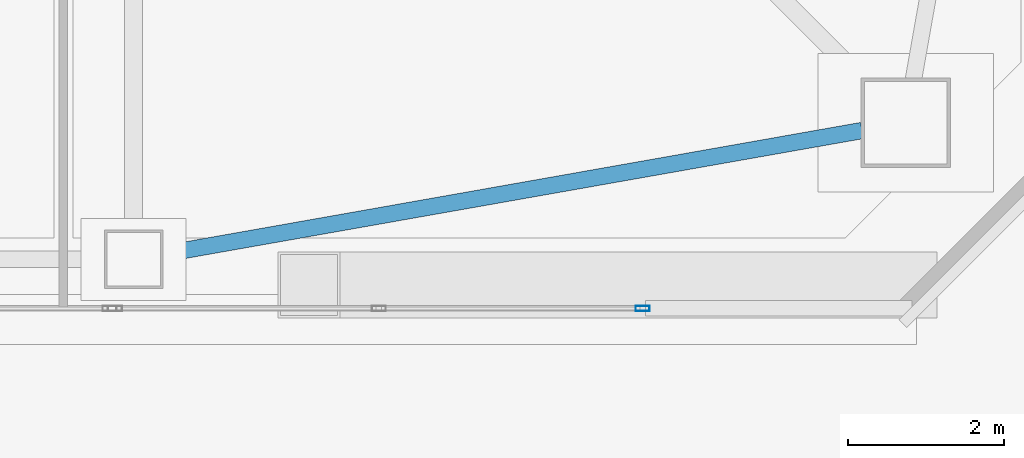
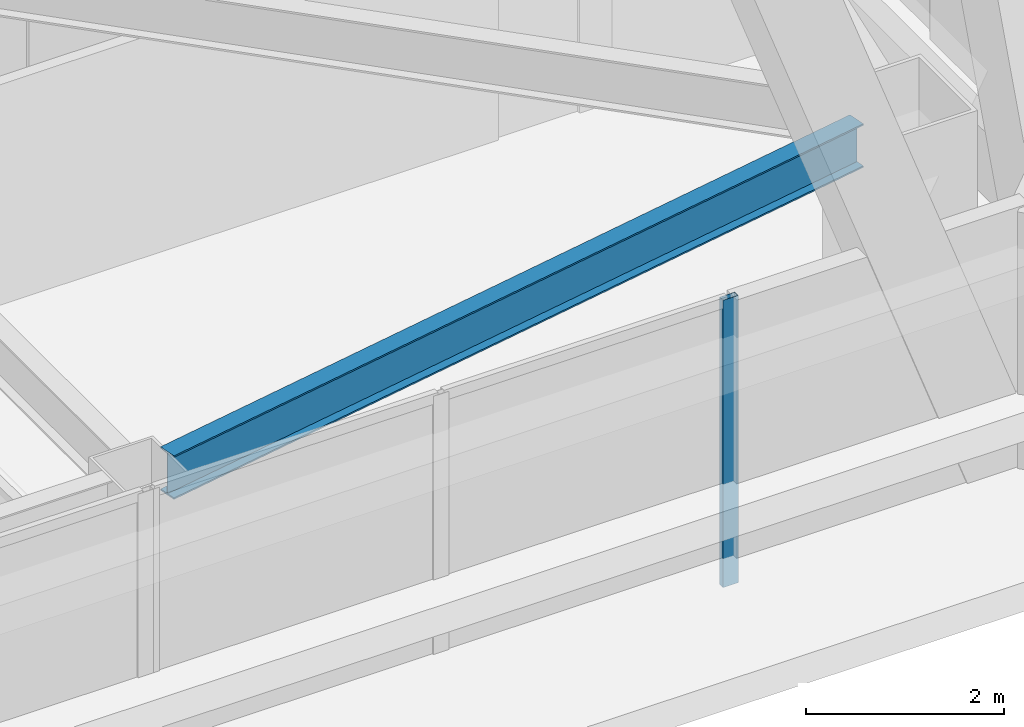
# One storey, part 11 of 65: 1 beam, 1 member, 1 element without a shape of its own.
"""IFC4 building model written with IfcOpenShell, lengths in metres."""

from ifc_helpers import new_model, si_unit, direction, frame, origin, origin_2d, place, context, subcontext, project, spatial, hollow_rectangle, i_section, extrude, material, material_profile, profile_set, type_object, element, aggregate, save


model = new_model("IFC4")

# Units and contexts
model_context = context("Model", 3, precision=1e-05, world=origin(), true_north=direction((0.0, 1.0)))
body_context = subcontext(model_context, "Body", "Model", "MODEL_VIEW")
ifc_project = project(units=[si_unit("LENGTHUNIT", "METRE"), si_unit("AREAUNIT", "SQUARE_METRE"), si_unit("VOLUMEUNIT", "CUBIC_METRE"), si_unit("PLANEANGLEUNIT", "RADIAN"), si_unit("MASSUNIT", "GRAM", prefix="KILO")], contexts=[model_context])

# Site, building, storey
site_placement = place(None, origin())
site = spatial("IfcSite", under=ifc_project, at=site_placement, CompositionType="ELEMENT")
building_placement = place(site_placement, origin())
building = spatial("IfcBuilding", under=site, at=building_placement, Name="Tashvorn Skyway Center", CompositionType="ELEMENT")
storey_placement = place(building_placement, frame((0.0, 0.0, 157.0)))
storey = spatial("IfcBuildingStorey", under=building, at=storey_placement, Name="L42", CompositionType="ELEMENT", Elevation=157.0)

# Beam
ifc_material_1 = material(Name="Steel ASTM A992 Grade 50", Category="steel")
ifc_material_profile_1 = material_profile(ifc_material_1, i_section(OverallWidth=0.2109375, OverallDepth=0.5390625, WebThickness=0.01171875, FlangeThickness=0.018798828125, at=origin_2d()), Name="W21X73")
ifc_profile_set_1 = profile_set([ifc_material_profile_1], Name="Steel ASTM A992 Grade 50")
beam_type = type_object("IfcBeamType", Name="BM-SPANDREL-W21X73", PredefinedType="SPANDREL", material=ifc_profile_set_1)
beam_placement = place(storey_placement, frame((47.764404296875, 15.014404296875, 3.1005859375), z_axis=(0.984732545667, 0.174074160933, 0.0), x_axis=(-0.174074160933, 0.984732545667, 0.0)))
element("IfcBeam", 1, at=beam_placement, inside=storey, type_object=beam_type, Name="Tower 1 L42 Spandrel Beam 03", PredefinedType="SPANDREL", context=body_context, shape_type="SweptSolid", body=[
    extrude(i_section(OverallWidth=0.2109375, OverallDepth=0.5390625, WebThickness=0.01171875, FlangeThickness=0.018798828125, at=origin_2d()), origin(), (0.0, 0.0, 1.0), 9.113525390625),
])

# Curtain wall, member
ifc_material_2 = material(Name="Thermally broken bronze-anodized aluminium 6063-T6", Category="aluminium")
curtain_wall_type = type_object("IfcCurtainWallType", Name="CW-CW-Z4", PredefinedType="NOTDEFINED", material=ifc_material_2)
curtain_wall_placement = place(storey_placement, origin())
curtain_wall = element("IfcCurtainWall", 2, at=curtain_wall_placement, inside=storey, type_object=curtain_wall_type, Name="Tower 1 L42 South Unitised Curtain Wall Glazing Group 1", PredefinedType="NOTDEFINED")
ifc_material_profile_2 = material_profile(ifc_material_2, hollow_rectangle(XDim=0.070068359375, YDim=0.179931640625, WallThickness=0.00390625, at=origin_2d()), Name="ALU-MULL-70x180")
ifc_profile_set_2 = profile_set([ifc_material_profile_2], Name="Thermally broken bronze-anodized aluminium 6063-T6")
member_type = type_object("IfcMemberType", Name="CWM-CW-Z4", PredefinedType="MULLION", material=ifc_profile_set_2)
member_placement = place(storey_placement, frame((53.92724609375, 14.320068359375, 0.0), z_axis=(0.0, 0.0, 1.0), x_axis=(0.0, -1.0, 0.0)))
member = element("IfcMember", 3, at=member_placement, type_object=member_type, Name="CW-Z4 mullion 1", PredefinedType="MULLION", context=body_context, shape_type="SweptSolid", body=[
    extrude(hollow_rectangle(XDim=0.070068359375, YDim=0.179931640625, WallThickness=0.00390625, at=origin_2d()), origin(), (0.0, 0.0, 1.0), 3.550048828125),
])
aggregate(curtain_wall, [member])

save(model, "model.ifc")
